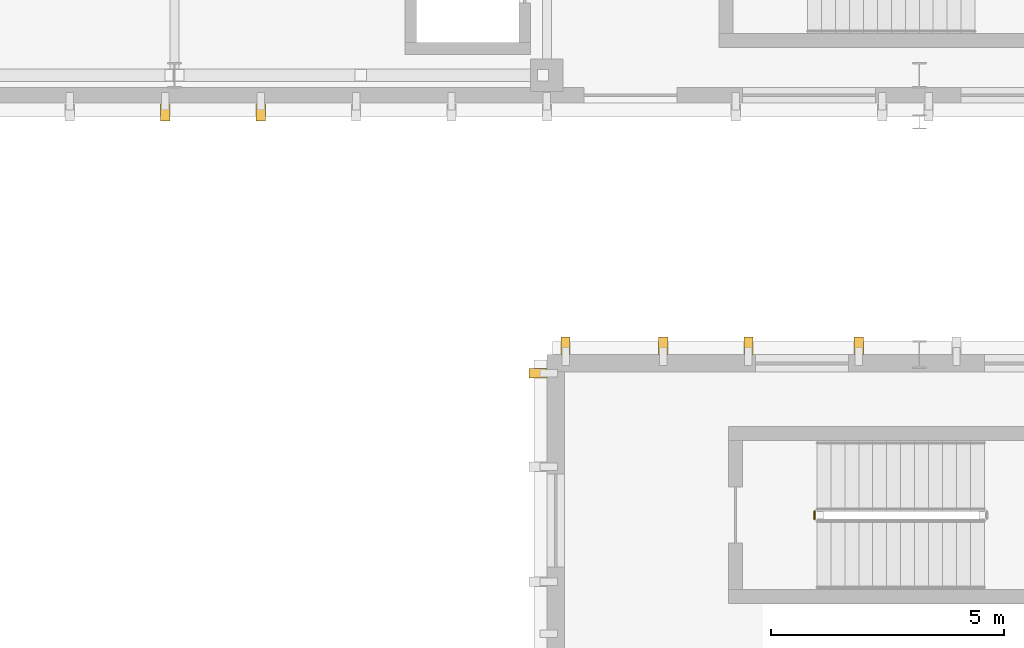
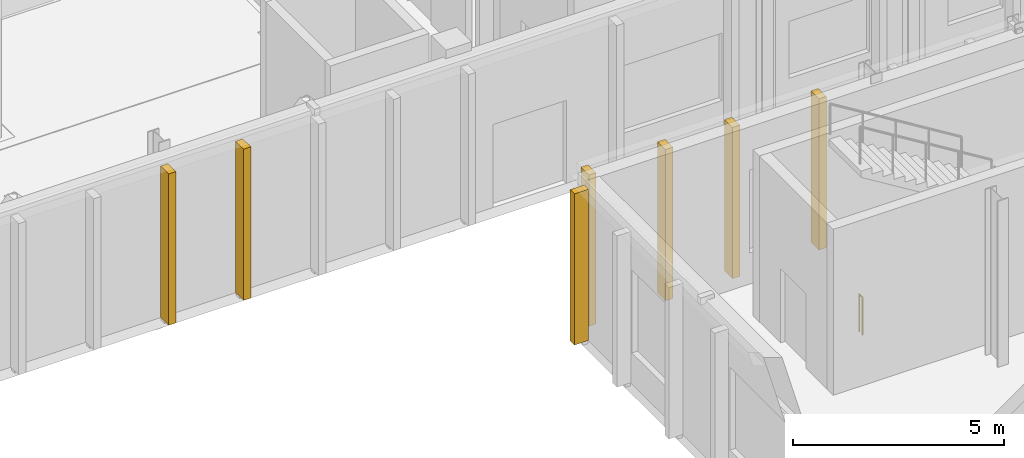
# One storey, part 44 of 60: 7 coverings, 1 railing.
"""IFC4 building model written with IfcOpenShell, lengths in metres."""

from ifc_helpers import new_model, si_unit, direction, frame, origin, origin_2d, place, context, subcontext, project, spatial, rectangle, circle, extrude, material, layer, layer_set, type_object, element, save


model = new_model("IFC4")

# Units and contexts
model_context = context("Model", 3, precision=1e-05, world=origin(), true_north=direction((0.0, 1.0)))
body_context = subcontext(model_context, "Body", "Model", "MODEL_VIEW")
ifc_project = project(units=[si_unit("LENGTHUNIT", "METRE"), si_unit("AREAUNIT", "SQUARE_METRE"), si_unit("VOLUMEUNIT", "CUBIC_METRE"), si_unit("PLANEANGLEUNIT", "RADIAN"), si_unit("MASSUNIT", "GRAM", prefix="KILO")], contexts=[model_context])

# Site, building, storey
site_placement = place(None, origin())
site = spatial("IfcSite", under=ifc_project, at=site_placement, CompositionType="ELEMENT")
building_placement = place(site_placement, origin())
building = spatial("IfcBuilding", under=site, at=building_placement, Name="Cymarion Research Institute", CompositionType="ELEMENT")
storey_placement = place(building_placement, origin())
storey = spatial("IfcBuildingStorey", under=building, at=storey_placement, Name="L00", CompositionType="ELEMENT", Elevation=0.0)

# Railing
ifc_material_1 = material(Name="Steel S355", Category="steel")
railing_type = type_object("IfcRailingType", Name="PAINTED STEEL STAIR GUARDRAIL GR1 1100MM", PredefinedType="GUARDRAIL", material=ifc_material_1)
railing_placement = place(storey_placement, frame((36.35009765625, 37.969970703125, 0.0)))
element("IfcRailing", 1, at=railing_placement, inside=storey, type_object=railing_type, Name="L00 ST6 stair guard 4", PredefinedType="GUARDRAIL", context=body_context, shape_type="SweptSolid", body=[
    extrude(circle(Radius=0.02392578125, at=origin_2d()), frame((0.0, 0.0, 1.076171875), z_axis=(0.0, 1.0, 0.0), x_axis=(-1.0, 0.0, 0.0)), (0.0, 0.0, 1.0), 0.159912109375),
    extrude(circle(Radius=0.02099609375, at=origin_2d()), origin(), (0.0, 0.0, 1.0), 1.052001953125),
    extrude(circle(Radius=0.02099609375, at=origin_2d()), frame((0.0, 0.159912109375, 0.0)), (0.0, 0.0, 1.0), 1.052001953125),
])

# Coverings
ifc_material_2 = material(Name="Precast concrete C45/55 architectural white", Category="concrete")
ifc_layer = layer(ifc_material_2, 0.199951171875)
ifc_layer_set = layer_set([ifc_layer], Name="Precast concrete C45/55 architectural white")
covering_type = type_object("IfcCoveringType", Name="SCULPTURAL WHITE PRECAST CONCRETE VERTICAL RIB RIB1 380X200", PredefinedType="CLADDING", material=ifc_layer_set)
for number, where, z_axis, x_axis, name in (
    (2, (37.300048828125, 41.69189453125, 0.010009765625), (0.0, 0.0, 1.0), (0.0, 1.0, 0.0), "L00 V3 sculptural precast vertical rib RIB1 #34"),
    (3, (34.929931640625, 41.69189453125, 0.010009765625), (0.0, 0.0, 1.0), (0.0, 1.0, 0.0), "L00 V3 sculptural precast vertical rib RIB1 #35"),
    (4, (33.10009765625, 41.69189453125, 0.010009765625), (0.0, 0.0, 1.0), (0.0, 1.0, 0.0), "L00 V3 sculptural precast vertical rib RIB1 #36"),
    (5, (31.0, 41.69189453125, 0.010009765625), (0.0, 0.0, 1.0), (0.0, 1.0, 0.0), "L00 V3 sculptural precast vertical rib RIB1 #37"),
    (6, (30.407958984375, 41.10009765625, 0.010009765625), (0.0, 0.0, 1.0), (-1.0, 0.0, 0.0), "L00 V3 sculptural precast vertical rib RIB1 #39"),
    (7, (22.39990234375, 46.7080078125, 0.010009765625), (0.0, 0.0, 1.0), (0.0, -1.0, 0.0), "L00 V4 sculptural precast vertical rib RIB1 #80"),
    (8, (24.449951171875, 46.7080078125, 0.010009765625), (0.0, 0.0, 1.0), (0.0, -1.0, 0.0), "L00 V4 sculptural precast vertical rib RIB1 #81"),
):
    element("IfcCovering", number, at=place(storey_placement, frame(where, z_axis=z_axis, x_axis=x_axis)), inside=storey, type_object=covering_type, Name=name, PredefinedType="CLADDING", context=body_context, shape_type="SweptSolid", body=[
        extrude(rectangle(XDim=0.3798828125, YDim=0.199951171875, at=origin_2d()), origin(), (0.0, 0.0, 1.0), 4.375),
    ])

save(model, "model.ifc")
